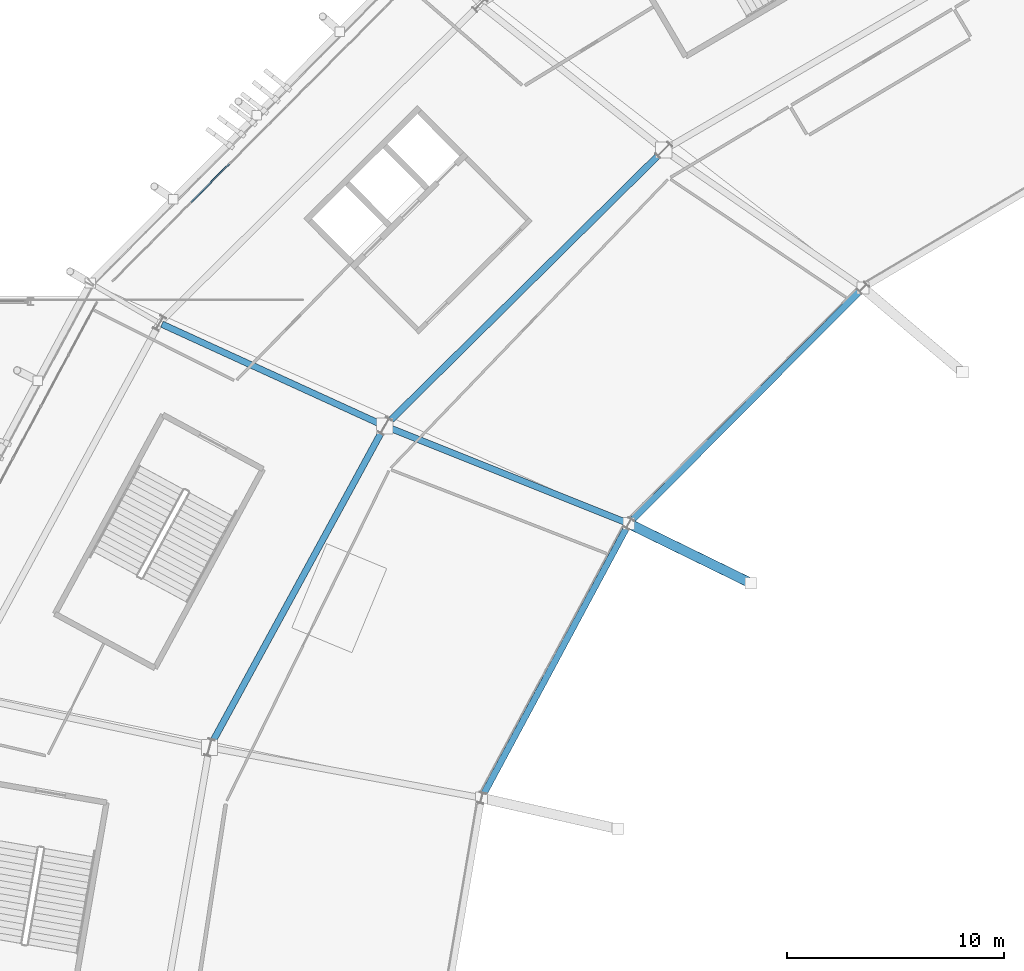
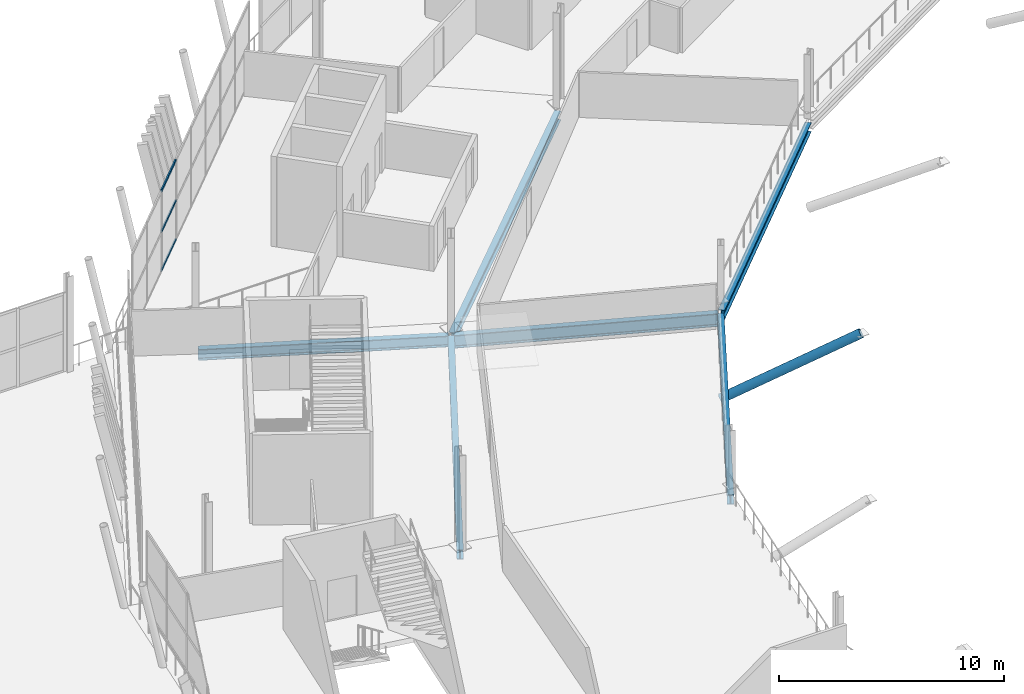
# One storey, part 43 of 168: 6 beams, 4 members, 1 element without a shape of its own.
"""IFC4 building model written with IfcOpenShell, lengths in metres."""

import ifcopenshell
import ifcopenshell.guid

model = None  # the IFC model being written
_history = None  # IfcOwnerHistory: only IFC2X3 demands one
_inside = {}  # id of a spatial element -> (the spatial element, [elements in it])
_under = {}  # id of a project, library or spatial element -> (it, [spatial elements below it])
_declared = {}  # id of a project -> (the project, [libraries it declares])
_typed = {}  # id of a type object -> (the type object, [elements of that type])
_made_of = {}  # id of a material, layer set ... -> (it, [elements and type objects made of it])


def new_model(schema):
    """Start an empty IFC model of exactly this schema.

    Asked for "IFC4X3", IfcOpenShell would pick the latest addendum, in which some entities
    have other attributes; the version numbers below select the first issue.
    IFC2X3 requires an IfcOwnerHistory on every rooted entity: one is made here for all.
    """
    global model, _history
    if schema == "IFC4X3":
        model = ifcopenshell.file(schema_version=(4, 3, 0, 0))
    else:
        model = ifcopenshell.file(schema=schema)
    _inside.clear()
    _under.clear()
    _declared.clear()
    _typed.clear()
    _made_of.clear()
    _history = None
    if model.schema == "IFC2X3":
        org = make("IfcOrganization", Name="unknown")
        user = make(
            "IfcPersonAndOrganization",
            ThePerson=make("IfcPerson", FamilyName="unknown"),
            TheOrganization=org,
        )
        app = make(
            "IfcApplication",
            ApplicationDeveloper=org,
            Version="unknown",
            ApplicationFullName="unknown",
            ApplicationIdentifier="unknown",
        )
        _history = make(
            "IfcOwnerHistory",
            OwningUser=user,
            OwningApplication=app,
            ChangeAction="ADDED",
            CreationDate=0,
        )
    return model


def make(cls, **values):
    """One entity of the class cls with the attributes given. An attribute that is None is left unset."""
    return model.create_entity(
        cls, **{name: value for name, value in values.items() if value is not None}
    )


def rooted(cls, **values):
    """An entity with a GlobalId (a new one), such as an element, a storey or a relation."""
    return make(cls, GlobalId=ifcopenshell.guid.new(), OwnerHistory=_history, **values)


def si_unit(unit_type, name, prefix=None):
    """IfcSIUnit, for example si_unit("LENGTHUNIT", "METRE", prefix="MILLI")."""
    return make("IfcSIUnit", UnitType=unit_type, Prefix=prefix, Name=name)


def assignment(units):
    """IfcUnitAssignment: the units of a project."""
    return None if units is None else make("IfcUnitAssignment", Units=units)


def point(xyz):
    """IfcCartesianPoint."""
    return None if xyz is None else make("IfcCartesianPoint", Coordinates=xyz)


def direction(xyz):
    """IfcDirection."""
    return None if xyz is None else make("IfcDirection", DirectionRatios=xyz)


def frame(location, z_axis=None, x_axis=None):
    """IfcAxis2Placement3D, a coordinate frame: its origin and axes. An axis left out is left unset."""
    return make(
        "IfcAxis2Placement3D",
        Location=point(location),
        Axis=direction(z_axis),
        RefDirection=direction(x_axis),
    )


def frame_2d(location, x_axis=None):
    """IfcAxis2Placement2D, a coordinate frame in the plane: its origin and x axis."""
    return make(
        "IfcAxis2Placement2D", Location=point(location), RefDirection=direction(x_axis)
    )


def origin():
    """The frame at (0, 0, 0) with its axes left unset."""
    return frame((0.0, 0.0, 0.0))


def origin_2d():
    """The frame at (0, 0) in the plane with its x axis left unset."""
    return frame_2d((0.0, 0.0))


def place(relative_to, where):
    """IfcLocalPlacement: puts the frame where relative to a parent placement (None: the world)."""
    return make(
        "IfcLocalPlacement", PlacementRelTo=relative_to, RelativePlacement=where
    )


def context(
    kind, dimensions, precision=None, world=None, true_north=None, identifier=None
):
    """IfcGeometricRepresentationContext, for example the 3D "Model" context."""
    return make(
        "IfcGeometricRepresentationContext",
        ContextIdentifier=identifier,
        ContextType=kind,
        CoordinateSpaceDimension=dimensions,
        Precision=precision,
        WorldCoordinateSystem=world,
        TrueNorth=true_north,
    )


def subcontext(parent, identifier, kind, view, scale=None):
    """IfcGeometricRepresentationSubContext, for example "Body" below "Model"."""
    return make(
        "IfcGeometricRepresentationSubContext",
        ContextIdentifier=identifier,
        ContextType=kind,
        ParentContext=parent,
        TargetScale=scale,
        TargetView=view,
    )


def project(units=None, contexts=None):
    """IfcProject with its units and contexts."""
    return rooted(
        "IfcProject",
        Name="project",
        RepresentationContexts=contexts,
        UnitsInContext=assignment(units),
    )


def spatial(cls, under=None, at=None, **own):
    """A site, building, storey or space (cls), placed at a placement, below another one or the project."""
    s = rooted(cls, ObjectPlacement=at, **own)
    if under is not None:
        _under.setdefault(under.id(), (under, []))[1].append(s)
    return s


def profile(cls, at=None, kind="AREA", **sizes):
    """A parametric profile (cls). Its sizes go by their IFC names, for example OverallWidth=200.0."""
    return make(cls, ProfileType=kind, Position=at, **sizes)


def rectangle(**sizes):
    """IfcRectangleProfileDef."""
    return profile("IfcRectangleProfileDef", **sizes)


def hollow_circle(**sizes):
    """IfcCircleHollowProfileDef."""
    return profile("IfcCircleHollowProfileDef", **sizes)


def i_section(**sizes):
    """IfcIShapeProfileDef."""
    return profile("IfcIShapeProfileDef", **sizes)


def extrude(swept, where, along, depth):
    """IfcExtrudedAreaSolid: the profile swept, set in the frame where, extruded along a direction by depth."""
    return make(
        "IfcExtrudedAreaSolid",
        SweptArea=swept,
        Position=where,
        ExtrudedDirection=direction(along),
        Depth=depth,
    )


def shape(context_of_items, identifier, shape_type, items):
    """IfcShapeRepresentation: the items that make up one representation, for example the "Body"."""
    return make(
        "IfcShapeRepresentation",
        ContextOfItems=context_of_items,
        RepresentationIdentifier=identifier,
        RepresentationType=shape_type,
        Items=items,
    )


def material(Name=None, Category=None):
    """IfcMaterial."""
    return make("IfcMaterial", Name=Name, Category=Category)


def material_profile(
    of_material, cross_section, Name=None, Category=None, Priority=None
):
    """IfcMaterialProfile: a cross section and its material."""
    return make(
        "IfcMaterialProfile",
        Name=Name,
        Material=of_material,
        Profile=cross_section,
        Priority=Priority,
        Category=Category,
    )


def profile_set(profiles, Name=None, composite=None):
    """IfcMaterialProfileSet."""
    return make(
        "IfcMaterialProfileSet",
        Name=Name,
        MaterialProfiles=profiles,
        CompositeProfile=composite,
    )


def made_of(thing, what):
    """Note that an element or type object is made of a material, layer set ...; save() writes the relation."""
    if what is not None:
        _made_of.setdefault(what.id(), (what, []))[1].append(thing)
    return thing


def type_object(cls, material=None, **own):
    """A type object (cls), such as IfcWallType, which elements share."""
    return made_of(rooted(cls, **own), material)


def element(
    cls,
    number,
    at=None,
    inside=None,
    cuts=None,
    type_object=None,
    material=None,
    context=None,
    identifier="Body",
    shape_type=None,
    held_by="IfcProductDefinitionShape",
    body=None,
    shapes=None,
    **own,
):
    """One element of the class cls, such as IfcWall. Its Tag is "e" and its number.

    at: its placement. inside: the storey or other place that contains it. cuts: it is an
    opening in that element (IfcRelVoidsElement). A single representation is given by context,
    identifier, shape_type and body (its items); several are given by shapes. held_by: the class
    of the entity that holds the representations. save() writes the other relations.
    """
    e = rooted(cls, Tag="e%d" % number, ObjectPlacement=at, **own)
    if body is not None:
        shapes = [shape(context, identifier, shape_type, body)]
    if shapes is not None:
        e.Representation = make(held_by, Representations=shapes)
    if inside is not None:
        _inside.setdefault(inside.id(), (inside, []))[1].append(e)
    if cuts is not None:
        rooted(
            "IfcRelVoidsElement", RelatingBuildingElement=cuts, RelatedOpeningElement=e
        )
    if type_object is not None:
        _typed.setdefault(type_object.id(), (type_object, []))[1].append(e)
    return made_of(e, material)


def aggregate(whole, parts):
    """IfcRelAggregates: a whole, such as a stair, and the parts it consists of."""
    return rooted("IfcRelAggregates", RelatingObject=whole, RelatedObjects=parts)


def save(model, path):
    """Write the relations noted so far, then the file.

    IfcRelAggregates (storeys below a building ...), IfcRelContainedInSpatialStructure (elements
    in a storey), IfcRelDefinesByType, IfcRelAssociatesMaterial and IfcRelDeclares: one each for
    every whole, place, type object, material and project.
    """
    for whole, parts in _under.values():
        aggregate(whole, parts)
    for where, things in _inside.values():
        rooted(
            "IfcRelContainedInSpatialStructure",
            RelatedElements=things,
            RelatingStructure=where,
        )
    for kind, things in _typed.values():
        rooted("IfcRelDefinesByType", RelatedObjects=things, RelatingType=kind)
    for what, things in _made_of.values():
        rooted("IfcRelAssociatesMaterial", RelatedObjects=things, RelatingMaterial=what)
    for by, libraries in _declared.values():
        rooted("IfcRelDeclares", RelatingContext=by, RelatedDefinitions=libraries)
    model.write(path)


model = new_model("IFC4")

# Units and contexts
model_context = context("Model", 3, precision=1e-05, world=origin(), true_north=direction((0.0, 1.0)))
body_context = subcontext(model_context, "Body", "Model", "MODEL_VIEW")
ifc_project = project(units=[si_unit("LENGTHUNIT", "METRE"), si_unit("AREAUNIT", "SQUARE_METRE"), si_unit("VOLUMEUNIT", "CUBIC_METRE"), si_unit("PLANEANGLEUNIT", "RADIAN"), si_unit("MASSUNIT", "GRAM", prefix="KILO")], contexts=[model_context])

# Site, building, storey
site_placement = place(None, origin())
site = spatial("IfcSite", under=ifc_project, at=site_placement, CompositionType="ELEMENT")
building_placement = place(site_placement, origin())
building = spatial("IfcBuilding", under=site, at=building_placement, Name="Zlatoyarsky Gate Stadium", CompositionType="ELEMENT")
storey_placement = place(building_placement, frame((0.0, 0.0, 15.60009765625)))
storey = spatial("IfcBuildingStorey", under=building, at=storey_placement, Name="L03", CompositionType="ELEMENT", Elevation=15.60009765625)

# Curtain wall, members
ifc_material_1 = material(Name="Thermally broken anodised aluminium curtain wall", Category="aluminium")
curtain_wall_type = type_object("IfcCurtainWallType", Name="UNITISED CORPORATE BOX GLAZING L03", PredefinedType="USERDEFINED", material=ifc_material_1)
curtain_wall_placement = place(storey_placement, origin())
curtain_wall = element("IfcCurtainWall", 1, at=curtain_wall_placement, inside=storey, type_object=curtain_wall_type, Name="Curtain wall CW-L03-09", ObjectType="UNITISED GLAZING", PredefinedType="USERDEFINED")
ifc_material_2 = material(Name="Anodised aluminium 6063-T6", Category="aluminium")
ifc_material_profile_1 = material_profile(ifc_material_2, rectangle(XDim=0.06494140625, YDim=0.139892578125, at=origin_2d()), Name="ALU 65X140")
ifc_profile_set_1 = profile_set([ifc_material_profile_1], Name="Anodised aluminium 6063-T6")
member_type_1 = type_object("IfcMemberType", Name="ALUMINIUM TRANSOM 65X140", PredefinedType="USERDEFINED", material=ifc_profile_set_1)
member_1_placement = place(storey_placement, frame((33.672607421875, 122.840576171875, 0.032470703125), z_axis=(-0.705527101456, -0.708682939763, 0.0), x_axis=(0.708682939763, -0.705527101456, 0.0)))
member_1 = element("IfcMember", 2, at=member_1_placement, type_object=member_type_1, Name="CW-UG3 transom 6.1", ObjectType="TRANSOM", PredefinedType="USERDEFINED", context=body_context, shape_type="SweptSolid", body=[
    extrude(rectangle(XDim=0.06494140625, YDim=0.139892578125, at=origin_2d()), origin(), (0.0, 0.0, 1.0), 2.4755859375),
])
member_2_placement = place(storey_placement, frame((33.672607421875, 122.840576171875, 2.14990234375), z_axis=(-0.705527101456, -0.708682939763, 0.0), x_axis=(0.708682939763, -0.705527101456, 0.0)))
member_2 = element("IfcMember", 3, at=member_2_placement, type_object=member_type_1, Name="CW-UG3 transom 6.2", ObjectType="TRANSOM", PredefinedType="USERDEFINED", context=body_context, shape_type="SweptSolid", body=[
    extrude(rectangle(XDim=0.06494140625, YDim=0.139892578125, at=origin_2d()), origin(), (0.0, 0.0, 1.0), 2.4755859375),
])
member_3_placement = place(storey_placement, frame((33.672607421875, 122.840576171875, 4.347412109375), z_axis=(-0.705527101456, -0.708682939763, 0.0), x_axis=(0.708682939763, -0.705527101456, 0.0)))
member_3 = element("IfcMember", 4, at=member_3_placement, type_object=member_type_1, Name="CW-UG3 transom 6.3", ObjectType="TRANSOM", PredefinedType="USERDEFINED", context=body_context, shape_type="SweptSolid", body=[
    extrude(rectangle(XDim=0.06494140625, YDim=0.139892578125, at=origin_2d()), origin(), (0.0, 0.0, 1.0), 2.4755859375),
])
aggregate(curtain_wall, [member_1, member_2, member_3])

# Member
ifc_material_3 = material(Name="Steel S355", Category="steel")
ifc_material_profile_2 = material_profile(ifc_material_3, hollow_circle(Radius=0.228515625, WallThickness=0.02490234375, at=origin_2d()), Name="CHS 457X25")
ifc_profile_set_2 = profile_set([ifc_material_profile_2], Name="Steel S355")
member_type_2 = type_object("IfcMemberType", Name="STEEL BACKSPAN TIE STRUT CHS 457X25", PredefinedType="STRUT", material=ifc_profile_set_2)
member_4_placement = place(storey_placement, frame((52.1103515625, 106.25, -5.0), z_axis=(0.797580275867, -0.389640639605, 0.46048439226), x_axis=(0.438948714008, 0.898512118154, 0.0)))
element("IfcMember", 5, at=member_4_placement, inside=storey, type_object=member_type_2, Name="Upper tier cantilever strut 10", PredefinedType="STRUT", context=body_context, shape_type="SweptSolid", body=[
    extrude(hollow_circle(Radius=0.228515625, WallThickness=0.02490234375, at=origin_2d()), origin(), (0.0, 0.0, 1.0), 7.057861328125),
])

# Beams
ifc_material_profile_3 = material_profile(ifc_material_3, i_section(OverallWidth=0.300048828125, OverallDepth=0.5, WebThickness=0.014404296875, FlangeThickness=0.028076171875, FilletRadius=0.027099609375, at=origin_2d()), Name="HEB 500")
ifc_profile_set_3 = profile_set([ifc_material_profile_3], Name="Steel S355")
beam_type_1 = type_object("IfcBeamType", Name="STEEL PRIMARY GIRDER HEB 500", PredefinedType="BEAM", material=ifc_profile_set_3)
beam_1_placement = place(storey_placement, frame((62.83203125, 117.0380859375, -0.530029296875), z_axis=(-0.704927331607, -0.709279533861, 0.0), x_axis=(0.709279533861, -0.704927331607, 0.0)))
element("IfcBeam", 6, at=beam_1_placement, inside=storey, type_object=beam_type_1, Name="Beam G-HEB500 BM-L03-CRA-09", PredefinedType="BEAM", context=body_context, shape_type="SweptSolid", body=[
    extrude(i_section(OverallWidth=0.300048828125, OverallDepth=0.5, WebThickness=0.014404296875, FlangeThickness=0.028076171875, FilletRadius=0.027099609375, at=origin_2d()), origin(), (0.0, 0.0, 1.0), 15.08984375),
])
beam_2_placement = place(storey_placement, frame((53.63916015625, 123.402587890625, -0.530029296875), z_axis=(-0.710840510009, -0.703353232259, 0.0), x_axis=(0.703353232259, -0.710840510009, 0.0)))
element("IfcBeam", 7, at=beam_2_placement, inside=storey, type_object=beam_type_1, Name="Beam G-HEB500 BM-L03-CRB-09", PredefinedType="BEAM", context=body_context, shape_type="SweptSolid", body=[
    extrude(i_section(OverallWidth=0.300048828125, OverallDepth=0.5, WebThickness=0.014404296875, FlangeThickness=0.028076171875, FilletRadius=0.027099609375, at=origin_2d()), origin(), (0.0, 0.0, 1.0), 17.868896484375),
])
beam_3_placement = place(storey_placement, frame((52.0537109375, 106.144287109375, -0.530029296875), z_axis=(-0.472766984781, -0.881187481812, 0.0), x_axis=(0.881187481812, -0.472766984781, 0.0)))
element("IfcBeam", 8, at=beam_3_placement, inside=storey, type_object=beam_type_1, Name="Beam G-HEB500 BM-L03-CRA-10", PredefinedType="BEAM", context=body_context, shape_type="SweptSolid", body=[
    extrude(i_section(OverallWidth=0.300048828125, OverallDepth=0.5, WebThickness=0.014404296875, FlangeThickness=0.028076171875, FilletRadius=0.027099609375, at=origin_2d()), origin(), (0.0, 0.0, 1.0), 14.12939453125),
])
beam_4_placement = place(storey_placement, frame((40.79443359375, 110.644775390625, -0.530029296875), z_axis=(-0.478915800408, -0.877860840976, 0.0), x_axis=(0.877860840976, -0.478915800408, 0.0)))
element("IfcBeam", 9, at=beam_4_placement, inside=storey, type_object=beam_type_1, Name="Beam G-HEB500 BM-L03-CRB-10", PredefinedType="BEAM", context=body_context, shape_type="SweptSolid", body=[
    extrude(i_section(OverallWidth=0.300048828125, OverallDepth=0.5, WebThickness=0.014404296875, FlangeThickness=0.028076171875, FilletRadius=0.027099609375, at=origin_2d()), origin(), (0.0, 0.0, 1.0), 16.656494140625),
])
ifc_material_profile_4 = material_profile(ifc_material_3, i_section(OverallWidth=0.300048828125, OverallDepth=0.60009765625, WebThickness=0.015380859375, FlangeThickness=0.030029296875, FilletRadius=0.027099609375, at=origin_2d()), Name="HEB 600")
ifc_profile_set_4 = profile_set([ifc_material_profile_4], Name="Steel S355")
beam_type_2 = type_object("IfcBeamType", Name="STEEL PRIMARY GIRDER HEB 600", PredefinedType="BEAM", material=ifc_profile_set_4)
beam_5_placement = place(storey_placement, frame((40.742919921875, 110.7998046875, -0.580078125), z_axis=(-0.909498994842, 0.415706120213, 0.0), x_axis=(-0.415706120213, -0.909498994842, 0.0)))
element("IfcBeam", 10, at=beam_5_placement, inside=storey, type_object=beam_type_2, Name="Beam G-HEB600 BM-L03-RBC-10", PredefinedType="BEAM", context=body_context, shape_type="SweptSolid", body=[
    extrude(i_section(OverallWidth=0.300048828125, OverallDepth=0.60009765625, WebThickness=0.015380859375, FlangeThickness=0.030029296875, FilletRadius=0.027099609375, at=origin_2d()), origin(), (0.0, 0.0, 1.0), 11.186767578125),
])
ifc_material_profile_5 = material_profile(ifc_material_3, i_section(OverallWidth=0.300048828125, OverallDepth=0.699951171875, WebThickness=0.01708984375, FlangeThickness=0.031982421875, FilletRadius=0.027099609375, at=origin_2d()), Name="HEB 700")
ifc_profile_set_5 = profile_set([ifc_material_profile_5], Name="Steel S355")
beam_type_3 = type_object("IfcBeamType", Name="STEEL PRIMARY GIRDER HEB 700", PredefinedType="BEAM", material=ifc_profile_set_5)
beam_6_placement = place(storey_placement, frame((51.998779296875, 106.29443359375, -0.630126953125), z_axis=(-0.928564503985, 0.371171068295, 0.0), x_axis=(-0.371171068295, -0.928564503985, 0.0)))
element("IfcBeam", 11, at=beam_6_placement, inside=storey, type_object=beam_type_3, Name="Beam G-HEB700 BM-L03-RAB-10", PredefinedType="BEAM", context=body_context, shape_type="SweptSolid", body=[
    extrude(i_section(OverallWidth=0.300048828125, OverallDepth=0.699951171875, WebThickness=0.01708984375, FlangeThickness=0.031982421875, FilletRadius=0.027099609375, at=origin_2d()), origin(), (0.0, 0.0, 1.0), 11.88427734375),
])

save(model, "model.ifc")
